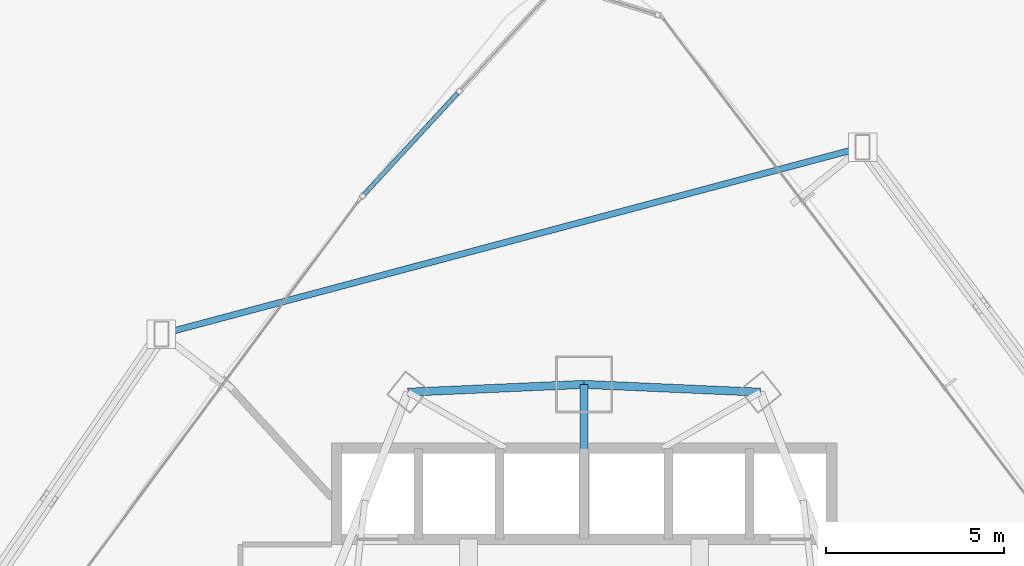
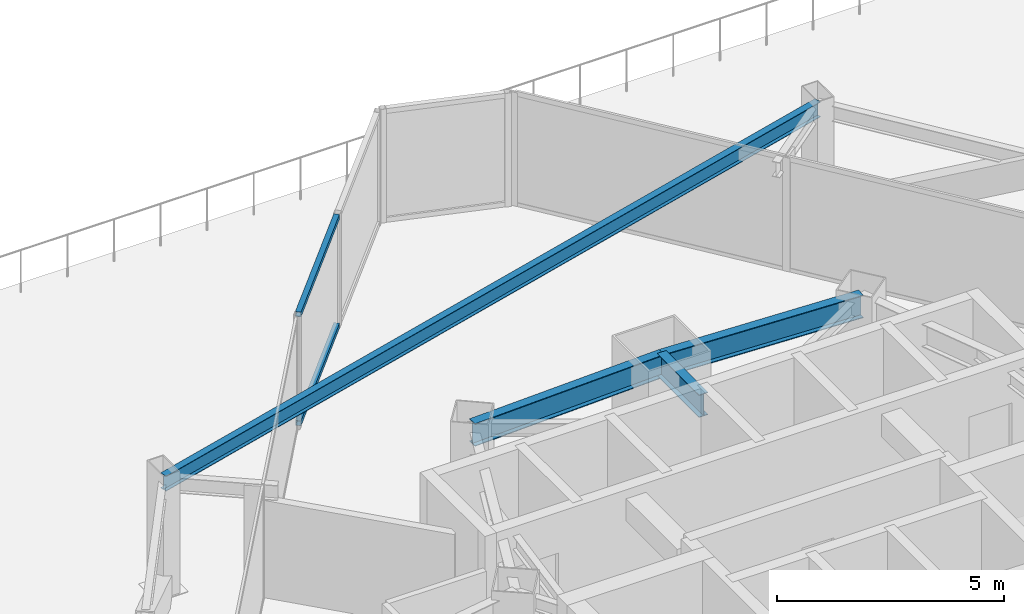
# One storey, part 23 of 36: 4 beams, 2 members, 1 element without a shape of its own.
"""IFC4 building model written with IfcOpenShell, lengths in metres."""

import ifcopenshell
import ifcopenshell.guid

model = None  # the IFC model being written
_history = None  # IfcOwnerHistory: only IFC2X3 demands one
_inside = {}  # id of a spatial element -> (the spatial element, [elements in it])
_under = {}  # id of a project, library or spatial element -> (it, [spatial elements below it])
_declared = {}  # id of a project -> (the project, [libraries it declares])
_typed = {}  # id of a type object -> (the type object, [elements of that type])
_made_of = {}  # id of a material, layer set ... -> (it, [elements and type objects made of it])


def new_model(schema):
    """Start an empty IFC model of exactly this schema.

    Asked for "IFC4X3", IfcOpenShell would pick the latest addendum, in which some entities
    have other attributes; the version numbers below select the first issue.
    IFC2X3 requires an IfcOwnerHistory on every rooted entity: one is made here for all.
    """
    global model, _history
    if schema == "IFC4X3":
        model = ifcopenshell.file(schema_version=(4, 3, 0, 0))
    else:
        model = ifcopenshell.file(schema=schema)
    _inside.clear()
    _under.clear()
    _declared.clear()
    _typed.clear()
    _made_of.clear()
    _history = None
    if model.schema == "IFC2X3":
        org = make("IfcOrganization", Name="unknown")
        user = make(
            "IfcPersonAndOrganization",
            ThePerson=make("IfcPerson", FamilyName="unknown"),
            TheOrganization=org,
        )
        app = make(
            "IfcApplication",
            ApplicationDeveloper=org,
            Version="unknown",
            ApplicationFullName="unknown",
            ApplicationIdentifier="unknown",
        )
        _history = make(
            "IfcOwnerHistory",
            OwningUser=user,
            OwningApplication=app,
            ChangeAction="ADDED",
            CreationDate=0,
        )
    return model


def make(cls, **values):
    """One entity of the class cls with the attributes given. An attribute that is None is left unset."""
    return model.create_entity(
        cls, **{name: value for name, value in values.items() if value is not None}
    )


def rooted(cls, **values):
    """An entity with a GlobalId (a new one), such as an element, a storey or a relation."""
    return make(cls, GlobalId=ifcopenshell.guid.new(), OwnerHistory=_history, **values)


def si_unit(unit_type, name, prefix=None):
    """IfcSIUnit, for example si_unit("LENGTHUNIT", "METRE", prefix="MILLI")."""
    return make("IfcSIUnit", UnitType=unit_type, Prefix=prefix, Name=name)


def assignment(units):
    """IfcUnitAssignment: the units of a project."""
    return None if units is None else make("IfcUnitAssignment", Units=units)


def point(xyz):
    """IfcCartesianPoint."""
    return None if xyz is None else make("IfcCartesianPoint", Coordinates=xyz)


def direction(xyz):
    """IfcDirection."""
    return None if xyz is None else make("IfcDirection", DirectionRatios=xyz)


def frame(location, z_axis=None, x_axis=None):
    """IfcAxis2Placement3D, a coordinate frame: its origin and axes. An axis left out is left unset."""
    return make(
        "IfcAxis2Placement3D",
        Location=point(location),
        Axis=direction(z_axis),
        RefDirection=direction(x_axis),
    )


def frame_2d(location, x_axis=None):
    """IfcAxis2Placement2D, a coordinate frame in the plane: its origin and x axis."""
    return make(
        "IfcAxis2Placement2D", Location=point(location), RefDirection=direction(x_axis)
    )


def origin():
    """The frame at (0, 0, 0) with its axes left unset."""
    return frame((0.0, 0.0, 0.0))


def origin_2d():
    """The frame at (0, 0) in the plane with its x axis left unset."""
    return frame_2d((0.0, 0.0))


def place(relative_to, where):
    """IfcLocalPlacement: puts the frame where relative to a parent placement (None: the world)."""
    return make(
        "IfcLocalPlacement", PlacementRelTo=relative_to, RelativePlacement=where
    )


def context(
    kind, dimensions, precision=None, world=None, true_north=None, identifier=None
):
    """IfcGeometricRepresentationContext, for example the 3D "Model" context."""
    return make(
        "IfcGeometricRepresentationContext",
        ContextIdentifier=identifier,
        ContextType=kind,
        CoordinateSpaceDimension=dimensions,
        Precision=precision,
        WorldCoordinateSystem=world,
        TrueNorth=true_north,
    )


def subcontext(parent, identifier, kind, view, scale=None):
    """IfcGeometricRepresentationSubContext, for example "Body" below "Model"."""
    return make(
        "IfcGeometricRepresentationSubContext",
        ContextIdentifier=identifier,
        ContextType=kind,
        ParentContext=parent,
        TargetScale=scale,
        TargetView=view,
    )


def project(units=None, contexts=None):
    """IfcProject with its units and contexts."""
    return rooted(
        "IfcProject",
        Name="project",
        RepresentationContexts=contexts,
        UnitsInContext=assignment(units),
    )


def spatial(cls, under=None, at=None, **own):
    """A site, building, storey or space (cls), placed at a placement, below another one or the project."""
    s = rooted(cls, ObjectPlacement=at, **own)
    if under is not None:
        _under.setdefault(under.id(), (under, []))[1].append(s)
    return s


def profile(cls, at=None, kind="AREA", **sizes):
    """A parametric profile (cls). Its sizes go by their IFC names, for example OverallWidth=200.0."""
    return make(cls, ProfileType=kind, Position=at, **sizes)


def hollow_rectangle(**sizes):
    """IfcRectangleHollowProfileDef."""
    return profile("IfcRectangleHollowProfileDef", **sizes)


def i_section(**sizes):
    """IfcIShapeProfileDef."""
    return profile("IfcIShapeProfileDef", **sizes)


def extrude(swept, where, along, depth):
    """IfcExtrudedAreaSolid: the profile swept, set in the frame where, extruded along a direction by depth."""
    return make(
        "IfcExtrudedAreaSolid",
        SweptArea=swept,
        Position=where,
        ExtrudedDirection=direction(along),
        Depth=depth,
    )


def shape(context_of_items, identifier, shape_type, items):
    """IfcShapeRepresentation: the items that make up one representation, for example the "Body"."""
    return make(
        "IfcShapeRepresentation",
        ContextOfItems=context_of_items,
        RepresentationIdentifier=identifier,
        RepresentationType=shape_type,
        Items=items,
    )


def material(Name=None, Category=None):
    """IfcMaterial."""
    return make("IfcMaterial", Name=Name, Category=Category)


def layer(
    of_material, thickness, ventilated=None, Name=None, Category=None, Priority=None
):
    """IfcMaterialLayer: one layer of a wall or slab, of a material (None: an air gap)."""
    return make(
        "IfcMaterialLayer",
        Material=of_material,
        LayerThickness=thickness,
        IsVentilated=ventilated,
        Name=Name,
        Category=Category,
        Priority=Priority,
    )


def layer_set(layers, Name=None):
    """IfcMaterialLayerSet."""
    return make("IfcMaterialLayerSet", MaterialLayers=layers, LayerSetName=Name)


def material_profile(
    of_material, cross_section, Name=None, Category=None, Priority=None
):
    """IfcMaterialProfile: a cross section and its material."""
    return make(
        "IfcMaterialProfile",
        Name=Name,
        Material=of_material,
        Profile=cross_section,
        Priority=Priority,
        Category=Category,
    )


def profile_set(profiles, Name=None, composite=None):
    """IfcMaterialProfileSet."""
    return make(
        "IfcMaterialProfileSet",
        Name=Name,
        MaterialProfiles=profiles,
        CompositeProfile=composite,
    )


def made_of(thing, what):
    """Note that an element or type object is made of a material, layer set ...; save() writes the relation."""
    if what is not None:
        _made_of.setdefault(what.id(), (what, []))[1].append(thing)
    return thing


def type_object(cls, material=None, **own):
    """A type object (cls), such as IfcWallType, which elements share."""
    return made_of(rooted(cls, **own), material)


def element(
    cls,
    number,
    at=None,
    inside=None,
    cuts=None,
    type_object=None,
    material=None,
    context=None,
    identifier="Body",
    shape_type=None,
    held_by="IfcProductDefinitionShape",
    body=None,
    shapes=None,
    **own,
):
    """One element of the class cls, such as IfcWall. Its Tag is "e" and its number.

    at: its placement. inside: the storey or other place that contains it. cuts: it is an
    opening in that element (IfcRelVoidsElement). A single representation is given by context,
    identifier, shape_type and body (its items); several are given by shapes. held_by: the class
    of the entity that holds the representations. save() writes the other relations.
    """
    e = rooted(cls, Tag="e%d" % number, ObjectPlacement=at, **own)
    if body is not None:
        shapes = [shape(context, identifier, shape_type, body)]
    if shapes is not None:
        e.Representation = make(held_by, Representations=shapes)
    if inside is not None:
        _inside.setdefault(inside.id(), (inside, []))[1].append(e)
    if cuts is not None:
        rooted(
            "IfcRelVoidsElement", RelatingBuildingElement=cuts, RelatedOpeningElement=e
        )
    if type_object is not None:
        _typed.setdefault(type_object.id(), (type_object, []))[1].append(e)
    return made_of(e, material)


def aggregate(whole, parts):
    """IfcRelAggregates: a whole, such as a stair, and the parts it consists of."""
    return rooted("IfcRelAggregates", RelatingObject=whole, RelatedObjects=parts)


def save(model, path):
    """Write the relations noted so far, then the file.

    IfcRelAggregates (storeys below a building ...), IfcRelContainedInSpatialStructure (elements
    in a storey), IfcRelDefinesByType, IfcRelAssociatesMaterial and IfcRelDeclares: one each for
    every whole, place, type object, material and project.
    """
    for whole, parts in _under.values():
        aggregate(whole, parts)
    for where, things in _inside.values():
        rooted(
            "IfcRelContainedInSpatialStructure",
            RelatedElements=things,
            RelatingStructure=where,
        )
    for kind, things in _typed.values():
        rooted("IfcRelDefinesByType", RelatedObjects=things, RelatingType=kind)
    for what, things in _made_of.values():
        rooted("IfcRelAssociatesMaterial", RelatedObjects=things, RelatingMaterial=what)
    for by, libraries in _declared.values():
        rooted("IfcRelDeclares", RelatingContext=by, RelatedDefinitions=libraries)
    model.write(path)


model = new_model("IFC4")

# Units and contexts
model_context = context("Model", 3, precision=1e-05, world=origin(), true_north=direction((0.0, 1.0)))
body_context = subcontext(model_context, "Body", "Model", "MODEL_VIEW")
ifc_project = project(units=[si_unit("LENGTHUNIT", "METRE"), si_unit("AREAUNIT", "SQUARE_METRE"), si_unit("VOLUMEUNIT", "CUBIC_METRE"), si_unit("PLANEANGLEUNIT", "RADIAN"), si_unit("MASSUNIT", "GRAM", prefix="KILO")], contexts=[model_context])

# Site, building, storey
site_placement = place(None, origin())
site = spatial("IfcSite", under=ifc_project, at=site_placement, CompositionType="ELEMENT")
building_placement = place(site_placement, origin())
building = spatial("IfcBuilding", under=site, at=building_placement, Name="Orvanel Arch Residences", CompositionType="ELEMENT")
storey_placement = place(building_placement, frame((0.0, 0.0, 23.60009765625)))
storey = spatial("IfcBuildingStorey", under=building, at=storey_placement, Name="L05", CompositionType="ELEMENT", Elevation=23.60009765625)

# Beams
ifc_material_1 = material(Name="Structural steel AS/NZS 3679.1 Grade 300 (300 MPa)", Category="steel")
ifc_material_profile_1 = material_profile(ifc_material_1, i_section(OverallWidth=0.22900390625, OverallDepth=0.612060546875, WebThickness=0.011962890625, FlangeThickness=0.01953125, at=origin_2d()), Name="610UB125")
ifc_profile_set_1 = profile_set([ifc_material_profile_1], Name="Structural steel AS/NZS 3679.1 Grade 300 (300 MPa)")
beam_type_1 = type_object("IfcBeamType", Name="BG-610UB", PredefinedType="BEAM", material=ifc_profile_set_1)
beam_1_placement = place(storey_placement, frame((33.0, 39.550048828125, 2.75390625), z_axis=(0.0, 1.0, 0.0), x_axis=(-1.0, 0.0, 0.0)))
element("IfcBeam", 1, at=beam_1_placement, inside=storey, type_object=beam_type_1, Name="L05 North Radial Girder", PredefinedType="BEAM", context=body_context, shape_type="SweptSolid", body=[
    extrude(i_section(OverallWidth=0.22900390625, OverallDepth=0.612060546875, WebThickness=0.011962890625, FlangeThickness=0.01953125, at=origin_2d()), origin(), (0.0, 0.0, 1.0), 1.847900390625),
])
ifc_material_profile_2 = material_profile(ifc_material_1, i_section(OverallWidth=0.177978515625, OverallDepth=0.406005859375, WebThickness=0.0078125, FlangeThickness=0.0126953125, at=origin_2d()), Name="410UB59.7")
ifc_profile_set_2 = profile_set([ifc_material_profile_2], Name="Structural steel AS/NZS 3679.1 Grade 300 (300 MPa)")
beam_type_2 = type_object("IfcBeamType", Name="OB-410UB-EXT", PredefinedType="SPANDREL", material=ifc_profile_set_2)
beam_2_placement = place(storey_placement, frame((40.822021484375, 48.05908203125, 2.85693359375), z_axis=(-0.966259586546, -0.257570206754, 0.0), x_axis=(0.257570206754, -0.966259586546, 0.0)))
element("IfcBeam", 2, at=beam_2_placement, inside=storey, type_object=beam_type_2, Name="L05 Outer Perimeter Floor Ring Beam 12", PredefinedType="SPANDREL", context=body_context, shape_type="SweptSolid", body=[
    extrude(i_section(OverallWidth=0.177978515625, OverallDepth=0.406005859375, WebThickness=0.0078125, FlangeThickness=0.0126953125, at=origin_2d()), origin(), (0.0, 0.0, 1.0), 20.3828125),
])
ifc_material_profile_3 = material_profile(ifc_material_1, i_section(OverallWidth=0.22900390625, OverallDepth=0.612060546875, WebThickness=0.011962890625, FlangeThickness=0.01953125, at=origin_2d()), Name="610UB125")
ifc_profile_set_3 = profile_set([ifc_material_profile_3], Name="Structural steel AS/NZS 3679.1 Grade 300 (300 MPa)")
beam_type_3 = type_object("IfcBeamType", Name="SP-610UB", PredefinedType="SPANDREL", material=ifc_profile_set_3)
for number, where, z_axis, x_axis, name in (
    (3, (37.949951171875, 41.177978515625, 2.75390625), (-0.999014049296, 0.044395149614, 0.0), (-0.044395149614, -0.999014049296, 0.0), "L05 Perimeter Spandrel Beam 16"),
    (4, (33.0, 41.39794921875, 2.75390625), (-0.999014049296, -0.044395149614, 0.0), (0.044395149614, -0.999014049296, 0.0), "L05 Perimeter Spandrel Beam 17"),
):
    element("IfcBeam", number, at=place(storey_placement, frame(where, z_axis=z_axis, x_axis=x_axis)), inside=storey, type_object=beam_type_3, Name=name, PredefinedType="SPANDREL", context=body_context, shape_type="SweptSolid", body=[
        extrude(i_section(OverallWidth=0.22900390625, OverallDepth=0.612060546875, WebThickness=0.011962890625, FlangeThickness=0.01953125, at=origin_2d()), origin(), (0.0, 0.0, 1.0), 4.954833984375),
    ])

# Curtain wall, members
ifc_material_2 = material(Name="Bronze-anodised aluminium AA6063-T6", Category="aluminium")
ifc_layer = layer(ifc_material_2, 0.18994140625)
ifc_layer_set = layer_set([ifc_layer], Name="Bronze-anodised aluminium AA6063-T6")
curtain_wall_type = type_object("IfcCurtainWallType", Name="CW5-CRN-SYS", PredefinedType="NOTDEFINED", material=ifc_layer_set)
curtain_wall_placement = place(storey_placement, origin())
curtain_wall = element("IfcCurtainWall", 5, at=curtain_wall_placement, inside=storey, type_object=curtain_wall_type, Name="L05 CW5-CRN-SYS Unitised Curtain Wall", PredefinedType="NOTDEFINED")
ifc_material_profile_4 = material_profile(ifc_material_2, hollow_rectangle(XDim=0.1298828125, YDim=0.1298828125, WallThickness=0.00439453125, at=origin_2d()), Name="ALU130x130x4.5")
ifc_profile_set_4 = profile_set([ifc_material_profile_4], Name="Bronze-anodised aluminium AA6063-T6")
member_type = type_object("IfcMemberType", Name="TRN-130x130", PredefinedType="USERDEFINED", material=ifc_profile_set_4)
member_1_placement = place(storey_placement, frame((29.444580078125, 49.574462890625, 0.06494140625), z_axis=(-0.678393082781, -0.734699139264, 0.0), x_axis=(0.734699139264, -0.678393082781, 0.0)))
member_1 = element("IfcMember", 6, at=member_1_placement, type_object=member_type, Name="CW-S5 transom 2.1", ObjectType="TRANSOM", PredefinedType="USERDEFINED", context=body_context, shape_type="SweptSolid", body=[
    extrude(hollow_rectangle(XDim=0.1298828125, YDim=0.1298828125, WallThickness=0.00439453125, at=origin_2d()), origin(), (0.0, 0.0, 1.0), 3.85888671875),
])
member_2_placement = place(storey_placement, frame((29.444580078125, 49.574462890625, 2.994873046875), z_axis=(-0.678393082781, -0.734699139264, 0.0), x_axis=(0.734699139264, -0.678393082781, 0.0)))
member_2 = element("IfcMember", 7, at=member_2_placement, type_object=member_type, Name="CW-S5 transom 2.2", ObjectType="TRANSOM", PredefinedType="USERDEFINED", context=body_context, shape_type="SweptSolid", body=[
    extrude(hollow_rectangle(XDim=0.1298828125, YDim=0.1298828125, WallThickness=0.00439453125, at=origin_2d()), origin(), (0.0, 0.0, 1.0), 3.85888671875),
])
aggregate(curtain_wall, [member_1, member_2])

save(model, "model.ifc")
